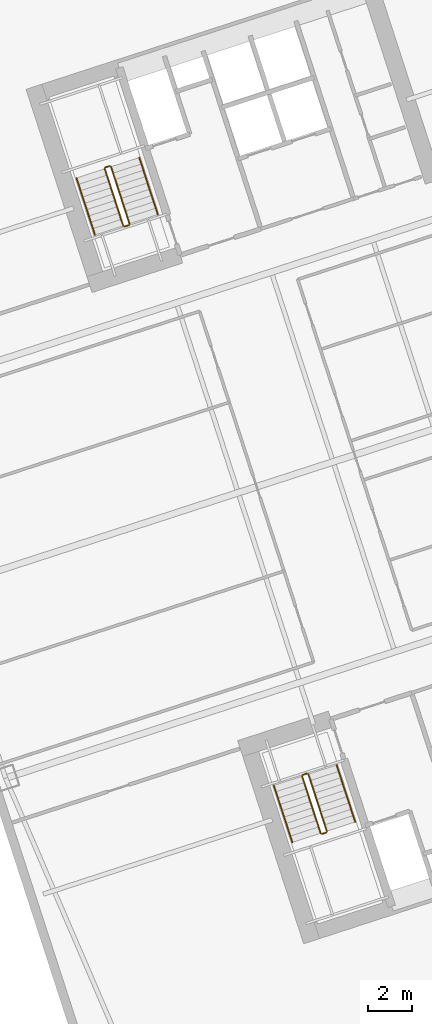
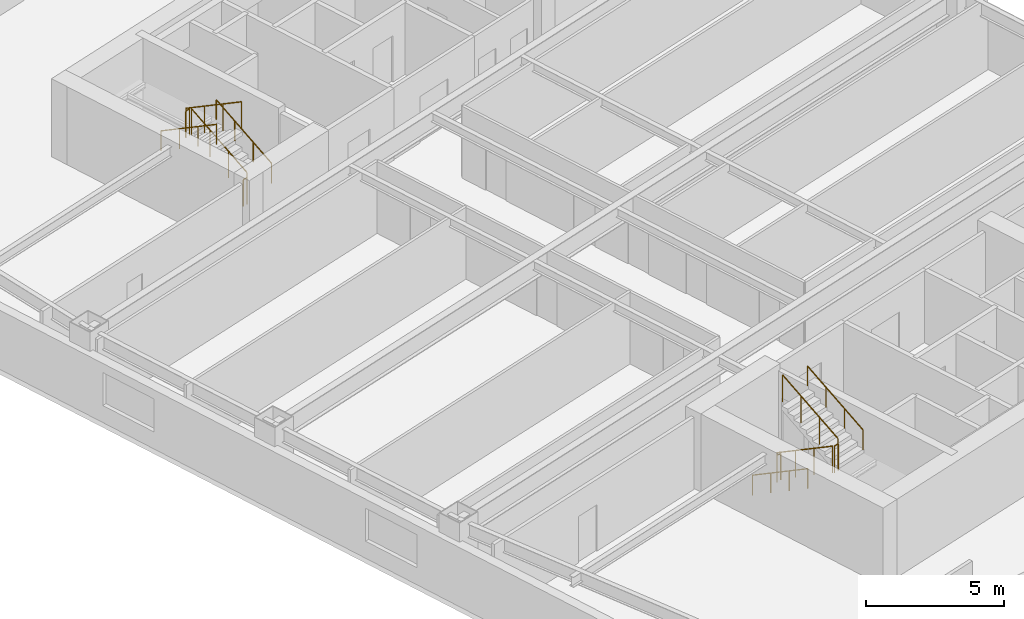
# One storey, part 19 of 19: 12 railings.
"""IFC4 building model written with IfcOpenShell, lengths in metres."""

from ifc_helpers import new_model, si_unit, direction, frame, origin, origin_2d, place, context, subcontext, project, spatial, circle, extrude, material, type_object, element, save


model = new_model("IFC4")

# Units and contexts
model_context = context("Model", 3, precision=1e-05, world=origin(), true_north=direction((0.0, 1.0)))
body_context = subcontext(model_context, "Body", "Model", "MODEL_VIEW")
ifc_project = project(units=[si_unit("LENGTHUNIT", "METRE"), si_unit("AREAUNIT", "SQUARE_METRE"), si_unit("VOLUMEUNIT", "CUBIC_METRE"), si_unit("PLANEANGLEUNIT", "RADIAN"), si_unit("MASSUNIT", "GRAM", prefix="KILO")], contexts=[model_context])

# Site, building, storey
site_placement = place(None, origin())
site = spatial("IfcSite", under=ifc_project, at=site_placement, CompositionType="ELEMENT")
building_placement = place(site_placement, origin())
building = spatial("IfcBuilding", under=site, at=building_placement, Name="Qiaolan Cultural Towers", CompositionType="ELEMENT")
storey_placement = place(building_placement, frame((0.0, 0.0, 54.050048828125)))
storey = spatial("IfcBuildingStorey", under=building, at=storey_placement, Name="L12", CompositionType="ELEMENT", Elevation=54.050048828125)

# Railings
ifc_material_1 = material(Name="Galvanized Painted Steel Stair Guardrail", Category="steel")
railing_type_1 = type_object("IfcRailingType", Name="RL-STAIR-GRD", PredefinedType="GUARDRAIL", material=ifc_material_1)
railing_1_placement = place(storey_placement, frame((88.60205078125, 19.82421875, 0.17236328125)))
element("IfcRailing", 1, at=railing_1_placement, inside=storey, type_object=railing_type_1, Name="L12 ST-E1 stair guard 1", PredefinedType="GUARDRAIL", context=body_context, shape_type="SweptSolid", body=[
    extrude(circle(Radius=0.02392578125, at=origin_2d()), frame((0.0, 0.0, 1.17578125), z_axis=(0.267925668498, -0.824471088726, 0.498460891159), x_axis=(0.951043371037, 0.309057448393, 0.0)), (0.0, 0.0, 1.0), 3.114501953125),
    extrude(circle(Radius=0.02099609375, at=origin_2d()), origin(), (0.0, 0.0, 1.0), 1.15185546875),
    extrude(circle(Radius=0.02099609375, at=origin_2d()), frame((0.278076171875, -0.85595703125, 0.517578125)), (0.0, 0.0, 1.0), 1.15185546875),
    extrude(circle(Radius=0.02099609375, at=origin_2d()), frame((0.556396484375, -1.7119140625, 1.034912109375)), (0.0, 0.0, 1.0), 1.15185546875),
    extrude(circle(Radius=0.02099609375, at=origin_2d()), frame((0.83447265625, -2.56787109375, 1.552490234375)), (0.0, 0.0, 1.0), 1.15185546875),
])
railing_2_placement = place(storey_placement, frame((89.49951171875, 17.224365234375, 1.724853515625)))
element("IfcRailing", 2, at=railing_2_placement, inside=storey, type_object=railing_type_1, Name="L12 ST-E1 stair guard 2", PredefinedType="GUARDRAIL", context=body_context, shape_type="SweptSolid", body=[
    extrude(circle(Radius=0.02392578125, at=origin_2d()), frame((0.0, 0.0, 1.17578125), z_axis=(0.951096855055, 0.308892816854, 0.0), x_axis=(-0.308892816854, 0.951096855055, 0.0)), (0.0, 0.0, 1.0), 0.199951171875),
    extrude(circle(Radius=0.02099609375, at=origin_2d()), origin(), (0.0, 0.0, 1.0), 1.15185546875),
    extrude(circle(Radius=0.02099609375, at=origin_2d()), frame((0.190185546875, 0.061767578125, 0.0)), (0.0, 0.0, 1.0), 1.15185546875),
])
railing_3_placement = place(storey_placement, frame((89.721923828125, 17.34912109375, 1.8974609375)))
element("IfcRailing", 3, at=railing_3_placement, inside=storey, type_object=railing_type_1, Name="L12 ST-E1 stair guard 3", PredefinedType="GUARDRAIL", context=body_context, shape_type="SweptSolid", body=[
    extrude(circle(Radius=0.02392578125, at=origin_2d()), frame((0.0, 0.0, 1.17578125), z_axis=(-0.267925668498, 0.824471088726, 0.498460891159), x_axis=(-0.951043371037, -0.309057448393, 0.0)), (0.0, 0.0, 1.0), 3.114501953125),
    extrude(circle(Radius=0.02099609375, at=origin_2d()), origin(), (0.0, 0.0, 1.0), 1.15185546875),
    extrude(circle(Radius=0.02099609375, at=origin_2d()), frame((-0.278076171875, 0.85595703125, 0.517578125)), (0.0, 0.0, 1.0), 1.15185546875),
    extrude(circle(Radius=0.02099609375, at=origin_2d()), frame((-0.556396484375, 1.7119140625, 1.034912109375)), (0.0, 0.0, 1.0), 1.15185546875),
    extrude(circle(Radius=0.02099609375, at=origin_2d()), frame((-0.83447265625, 2.56787109375, 1.552490234375)), (0.0, 0.0, 1.0), 1.15185546875),
])
railing_4_placement = place(storey_placement, frame((88.63427734375, 19.88720703125, 0.0)))
element("IfcRailing", 4, at=railing_4_placement, inside=storey, type_object=railing_type_1, Name="L12 ST-E1 stair guard 4", PredefinedType="GUARDRAIL", context=body_context, shape_type="SweptSolid", body=[
    extrude(circle(Radius=0.02392578125, at=origin_2d()), frame((0.0, 0.0, 1.17578125), z_axis=(0.951096855055, 0.308892816854, 0.0), x_axis=(-0.308892816854, 0.951096855055, 0.0)), (0.0, 0.0, 1.0), 0.199951171875),
    extrude(circle(Radius=0.02099609375, at=origin_2d()), origin(), (0.0, 0.0, 1.0), 1.15185546875),
    extrude(circle(Radius=0.02099609375, at=origin_2d()), frame((0.190185546875, 0.061767578125, 0.0)), (0.0, 0.0, 1.0), 1.15185546875),
])
railing_5_placement = place(storey_placement, frame((80.822021484375, 44.739501953125, 0.17236328125)))
element("IfcRailing", 5, at=railing_5_placement, inside=storey, type_object=railing_type_1, Name="L12 ST-E2 stair guard 1", PredefinedType="GUARDRAIL", context=body_context, shape_type="SweptSolid", body=[
    extrude(circle(Radius=0.02392578125, at=origin_2d()), frame((0.0, 0.0, 1.17578125), z_axis=(-0.26785290645, 0.824488402118, 0.498471358535), x_axis=(-0.951069945308, -0.308975661068, 0.0)), (0.0, 0.0, 1.0), 3.114501953125),
    extrude(circle(Radius=0.02099609375, at=origin_2d()), origin(), (0.0, 0.0, 1.0), 1.15185546875),
    extrude(circle(Radius=0.02099609375, at=origin_2d()), frame((-0.278076171875, 0.85595703125, 0.517578125)), (0.0, 0.0, 1.0), 1.15185546875),
    extrude(circle(Radius=0.02099609375, at=origin_2d()), frame((-0.55615234375, 1.7119140625, 1.034912109375)), (0.0, 0.0, 1.0), 1.15185546875),
    extrude(circle(Radius=0.02099609375, at=origin_2d()), frame((-0.834228515625, 2.56787109375, 1.552490234375)), (0.0, 0.0, 1.0), 1.15185546875),
])
railing_6_placement = place(storey_placement, frame((79.9248046875, 47.33935546875, 1.724853515625)))
element("IfcRailing", 6, at=railing_6_placement, inside=storey, type_object=railing_type_1, Name="L12 ST-E2 stair guard 2", PredefinedType="GUARDRAIL", context=body_context, shape_type="SweptSolid", body=[
    extrude(circle(Radius=0.02392578125, at=origin_2d()), frame((0.0, 0.0, 1.17578125), z_axis=(-0.951096855055, -0.308892816854, 0.0), x_axis=(0.308892816854, -0.951096855055, 0.0)), (0.0, 0.0, 1.0), 0.199951171875),
    extrude(circle(Radius=0.02099609375, at=origin_2d()), origin(), (0.0, 0.0, 1.0), 1.15185546875),
    extrude(circle(Radius=0.02099609375, at=origin_2d()), frame((-0.190185546875, -0.061767578125, 0.0)), (0.0, 0.0, 1.0), 1.15185546875),
])
railing_7_placement = place(storey_placement, frame((79.702392578125, 47.214599609375, 1.8974609375)))
element("IfcRailing", 7, at=railing_7_placement, inside=storey, type_object=railing_type_1, Name="L12 ST-E2 stair guard 3", PredefinedType="GUARDRAIL", context=body_context, shape_type="SweptSolid", body=[
    extrude(circle(Radius=0.02392578125, at=origin_2d()), frame((0.0, 0.0, 1.17578125), z_axis=(0.267925668498, -0.824471088726, 0.498460891159), x_axis=(0.951043371037, 0.309057448393, 0.0)), (0.0, 0.0, 1.0), 3.114501953125),
    extrude(circle(Radius=0.02099609375, at=origin_2d()), origin(), (0.0, 0.0, 1.0), 1.15185546875),
    extrude(circle(Radius=0.02099609375, at=origin_2d()), frame((0.278076171875, -0.85595703125, 0.517578125)), (0.0, 0.0, 1.0), 1.15185546875),
    extrude(circle(Radius=0.02099609375, at=origin_2d()), frame((0.556396484375, -1.7119140625, 1.034912109375)), (0.0, 0.0, 1.0), 1.15185546875),
    extrude(circle(Radius=0.02099609375, at=origin_2d()), frame((0.83447265625, -2.56787109375, 1.552490234375)), (0.0, 0.0, 1.0), 1.15185546875),
])
railing_8_placement = place(storey_placement, frame((80.7900390625, 44.676513671875, 0.0)))
element("IfcRailing", 8, at=railing_8_placement, inside=storey, type_object=railing_type_1, Name="L12 ST-E2 stair guard 4", PredefinedType="GUARDRAIL", context=body_context, shape_type="SweptSolid", body=[
    extrude(circle(Radius=0.02392578125, at=origin_2d()), frame((0.0, 0.0, 1.17578125), z_axis=(-0.951096855055, -0.308892816854, 0.0), x_axis=(0.308892816854, -0.951096855055, 0.0)), (0.0, 0.0, 1.0), 0.199951171875),
    extrude(circle(Radius=0.02099609375, at=origin_2d()), origin(), (0.0, 0.0, 1.0), 1.15185546875),
    extrude(circle(Radius=0.02099609375, at=origin_2d()), frame((-0.190185546875, -0.061767578125, 0.0)), (0.0, 0.0, 1.0), 1.15185546875),
])
ifc_material_2 = material(Name="Stainless Steel S30408 Tubular Handrail", Category="steel")
railing_type_2 = type_object("IfcRailingType", Name="RL-STAIR-HR", PredefinedType="HANDRAIL", material=ifc_material_2)
railing_9_placement = place(storey_placement, frame((87.32763671875, 19.41015625, 0.17236328125)))
element("IfcRailing", 9, at=railing_9_placement, inside=storey, type_object=railing_type_2, Name="L12 ST-E1 stair handrail 1", PredefinedType="HANDRAIL", context=body_context, shape_type="SweptSolid", body=[
    extrude(circle(Radius=0.02392578125, at=origin_2d()), frame((0.0, 0.0, 0.8759765625), z_axis=(0.267925668498, -0.824471088726, 0.498460891159), x_axis=(0.951043371037, 0.309057448393, 0.0)), (0.0, 0.0, 1.0), 3.114501953125),
    extrude(circle(Radius=0.02099609375, at=origin_2d()), origin(), (0.0, 0.0, 1.0), 0.851806640625),
    extrude(circle(Radius=0.02099609375, at=origin_2d()), frame((0.278076171875, -0.85595703125, 0.517578125)), (0.0, 0.0, 1.0), 0.851806640625),
    extrude(circle(Radius=0.02099609375, at=origin_2d()), frame((0.556396484375, -1.7119140625, 1.034912109375)), (0.0, 0.0, 1.0), 0.851806640625),
    extrude(circle(Radius=0.02099609375, at=origin_2d()), frame((0.83447265625, -2.56787109375, 1.552490234375)), (0.0, 0.0, 1.0), 0.851806640625),
])
railing_10_placement = place(storey_placement, frame((90.996337890625, 17.76318359375, 1.8974609375)))
element("IfcRailing", 10, at=railing_10_placement, inside=storey, type_object=railing_type_2, Name="L12 ST-E1 stair handrail 2", PredefinedType="HANDRAIL", context=body_context, shape_type="SweptSolid", body=[
    extrude(circle(Radius=0.02392578125, at=origin_2d()), frame((0.0, 0.0, 0.8759765625), z_axis=(-0.267925668498, 0.824471088726, 0.498460891159), x_axis=(-0.951043371037, -0.309057448393, 0.0)), (0.0, 0.0, 1.0), 3.114501953125),
    extrude(circle(Radius=0.02099609375, at=origin_2d()), origin(), (0.0, 0.0, 1.0), 0.851806640625),
    extrude(circle(Radius=0.02099609375, at=origin_2d()), frame((-0.278076171875, 0.85595703125, 0.517578125)), (0.0, 0.0, 1.0), 0.851806640625),
    extrude(circle(Radius=0.02099609375, at=origin_2d()), frame((-0.556396484375, 1.7119140625, 1.034912109375)), (0.0, 0.0, 1.0), 0.851806640625),
    extrude(circle(Radius=0.02099609375, at=origin_2d()), frame((-0.83447265625, 2.56787109375, 1.552490234375)), (0.0, 0.0, 1.0), 0.851806640625),
])
railing_11_placement = place(storey_placement, frame((82.096435546875, 45.153564453125, 0.17236328125)))
element("IfcRailing", 11, at=railing_11_placement, inside=storey, type_object=railing_type_2, Name="L12 ST-E2 stair handrail 1", PredefinedType="HANDRAIL", context=body_context, shape_type="SweptSolid", body=[
    extrude(circle(Radius=0.02392578125, at=origin_2d()), frame((0.0, 0.0, 0.8759765625), z_axis=(-0.26785290645, 0.824488402118, 0.498471358535), x_axis=(-0.951069945308, -0.308975661068, 0.0)), (0.0, 0.0, 1.0), 3.114501953125),
    extrude(circle(Radius=0.02099609375, at=origin_2d()), origin(), (0.0, 0.0, 1.0), 0.851806640625),
    extrude(circle(Radius=0.02099609375, at=origin_2d()), frame((-0.278076171875, 0.85595703125, 0.517578125)), (0.0, 0.0, 1.0), 0.851806640625),
    extrude(circle(Radius=0.02099609375, at=origin_2d()), frame((-0.55615234375, 1.7119140625, 1.034912109375)), (0.0, 0.0, 1.0), 0.851806640625),
    extrude(circle(Radius=0.02099609375, at=origin_2d()), frame((-0.834228515625, 2.56787109375, 1.552490234375)), (0.0, 0.0, 1.0), 0.851806640625),
])
railing_12_placement = place(storey_placement, frame((78.427978515625, 46.800537109375, 1.8974609375)))
element("IfcRailing", 12, at=railing_12_placement, inside=storey, type_object=railing_type_2, Name="L12 ST-E2 stair handrail 2", PredefinedType="HANDRAIL", context=body_context, shape_type="SweptSolid", body=[
    extrude(circle(Radius=0.02392578125, at=origin_2d()), frame((0.0, 0.0, 0.8759765625), z_axis=(0.267925668498, -0.824471088726, 0.498460891159), x_axis=(0.951043371037, 0.309057448393, 0.0)), (0.0, 0.0, 1.0), 3.114501953125),
    extrude(circle(Radius=0.02099609375, at=origin_2d()), origin(), (0.0, 0.0, 1.0), 0.851806640625),
    extrude(circle(Radius=0.02099609375, at=origin_2d()), frame((0.278076171875, -0.85595703125, 0.517578125)), (0.0, 0.0, 1.0), 0.851806640625),
    extrude(circle(Radius=0.02099609375, at=origin_2d()), frame((0.556396484375, -1.7119140625, 1.034912109375)), (0.0, 0.0, 1.0), 0.851806640625),
    extrude(circle(Radius=0.02099609375, at=origin_2d()), frame((0.83447265625, -2.56787109375, 1.552490234375)), (0.0, 0.0, 1.0), 0.851806640625),
])

save(model, "model.ifc")
